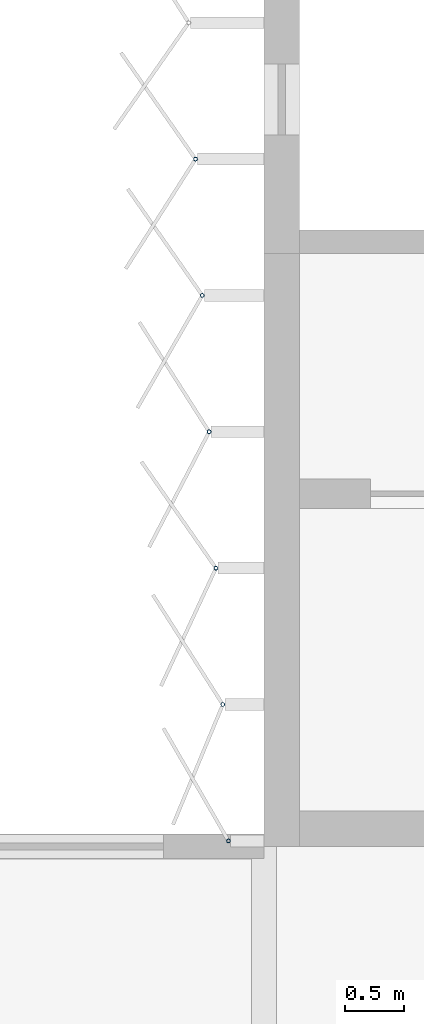
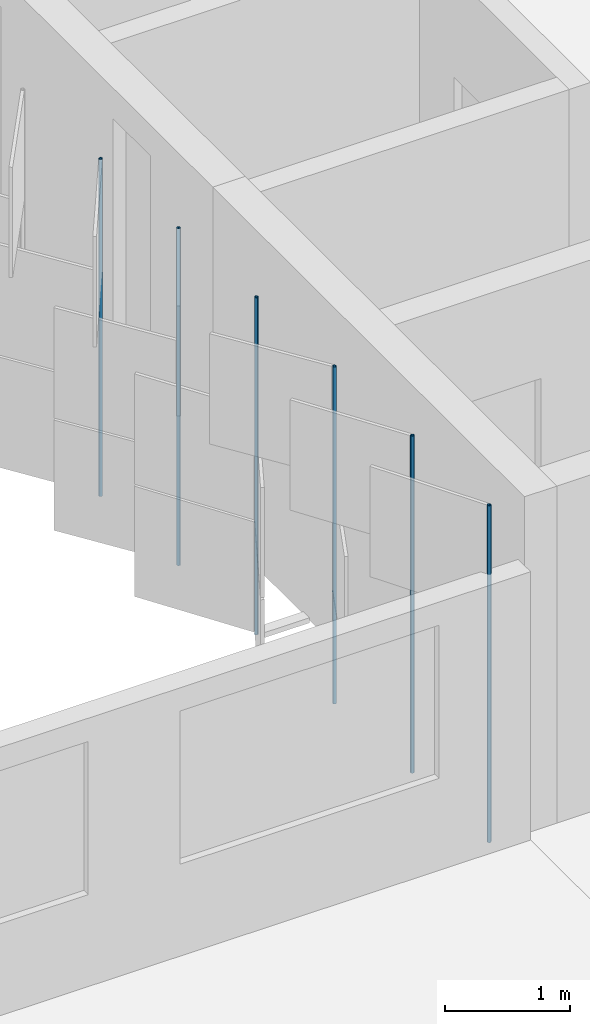
# One storey, part 97 of 198: 6 discrete accessories.
"""IFC4 building model written with IfcOpenShell, lengths in metres."""

from ifc_helpers import new_model, si_unit, direction, frame, origin, origin_2d, place, context, subcontext, project, spatial, hollow_circle, extrude, material, material_profile, profile_set, type_object, element, save


model = new_model("IFC4")

# Units and contexts
model_context = context("Model", 3, precision=1e-05, world=origin(), true_north=direction((0.0, 1.0)))
body_context = subcontext(model_context, "Body", "Model", "MODEL_VIEW")
ifc_project = project(units=[si_unit("LENGTHUNIT", "METRE"), si_unit("AREAUNIT", "SQUARE_METRE"), si_unit("VOLUMEUNIT", "CUBIC_METRE"), si_unit("PLANEANGLEUNIT", "RADIAN"), si_unit("MASSUNIT", "GRAM", prefix="KILO")], contexts=[model_context])

# Site, building, storey
site_placement = place(None, origin())
site = spatial("IfcSite", under=ifc_project, at=site_placement, CompositionType="ELEMENT")
building_placement = place(site_placement, origin())
building = spatial("IfcBuilding", under=site, at=building_placement, Name="Parallax Yard Mobility Hub", CompositionType="ELEMENT")
storey_placement = place(building_placement, frame((0.0, 0.0, 6.60009765625)))
storey = spatial("IfcBuildingStorey", under=building, at=storey_placement, Name="L02", CompositionType="ELEMENT", Elevation=6.60009765625)

# Discrete accessories
ifc_material = material(Name="Steel ASTM A500 Gr C, hot-dip galvanised", Category="steel")
ifc_material_profile = material_profile(ifc_material, hollow_circle(Radius=0.016845703125, WallThickness=0.003173828125, at=origin_2d()), Name="CHS 33.7x3.2")
ifc_profile_set = profile_set([ifc_material_profile], Name="Steel ASTM A500 Gr C, hot-dip galvanised")
discrete_accessory_type = type_object("IfcDiscreteAccessoryType", Name="Hinge post CHS 33.7x3.2", PredefinedType="BRACKET", material=ifc_profile_set)
for number, where, z_axis, x_axis, name in (
    (1, (194.42236328125, 80.798095703125, 0.0), (0.0, 0.0, 1.0), (1.0, 0.0, 0.0), "Hinge post bay 23.9 level L02"),
    (2, (194.479736328125, 79.64794921875, 0.0), (0.0, 0.0, 1.0), (1.0, 0.0, 0.0), "Hinge post bay 23.10 level L02"),
    (3, (194.537353515625, 78.497802734375, 0.0), (0.0, 0.0, 1.0), (1.0, 0.0, 0.0), "Hinge post bay 23.11 level L02"),
    (4, (194.5947265625, 77.34765625, 0.0), (0.0, 0.0, 1.0), (1.0, 0.0, 0.0), "Hinge post bay 23.12 level L02"),
    (5, (194.65234375, 76.197509765625, 0.0), (0.0, 0.0, 1.0), (1.0, 0.0, 0.0), "Hinge post bay 23.13 level L02"),
    (6, (194.699951171875, 75.047119140625, 0.0), (0.0, 0.0, 1.0), (1.0, 0.0, 0.0), "Hinge post bay 23.14 level L02"),
):
    element("IfcDiscreteAccessory", number, at=place(storey_placement, frame(where, z_axis=z_axis, x_axis=x_axis)), inside=storey, type_object=discrete_accessory_type, Name=name, PredefinedType="BRACKET", context=body_context, shape_type="SweptSolid", body=[
        extrude(hollow_circle(Radius=0.016845703125, WallThickness=0.003173828125, at=origin_2d()), origin(), (0.0, 0.0, 1.0), 3.2998046875),
    ])

save(model, "model.ifc")
